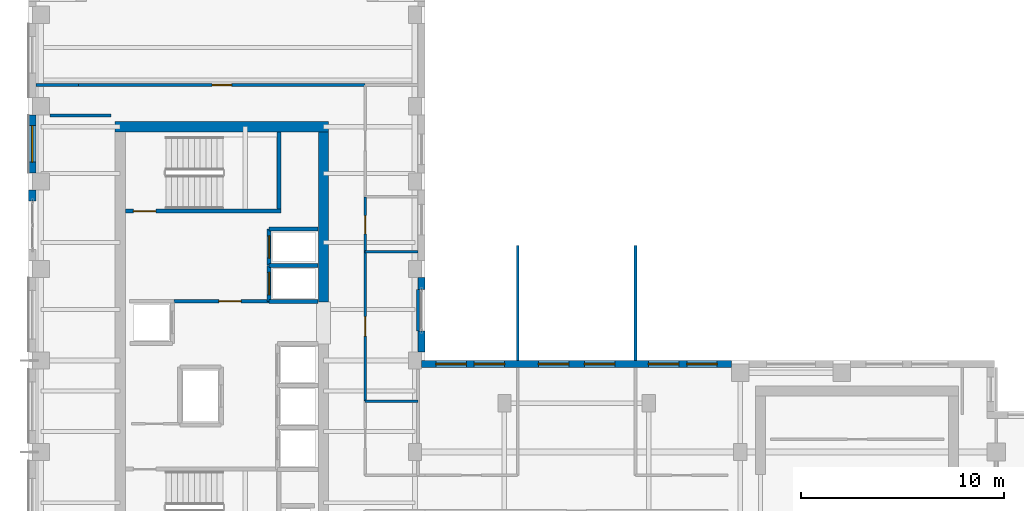
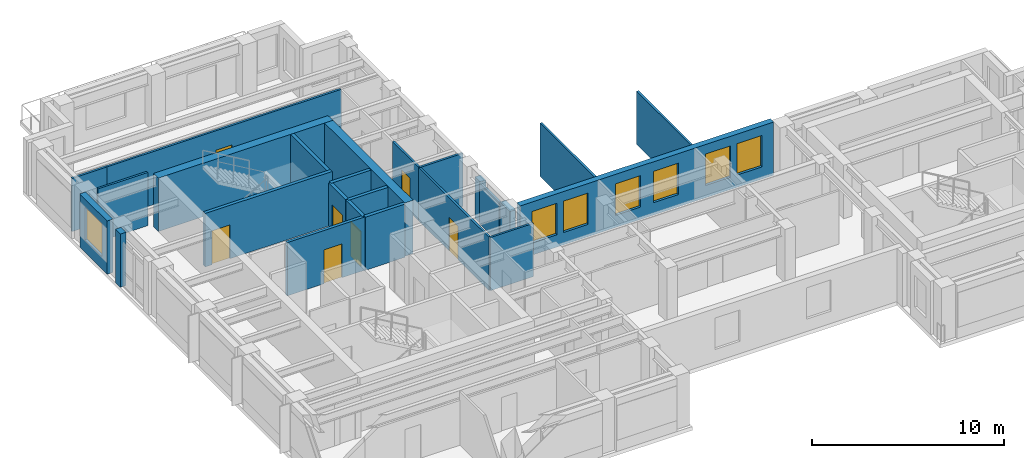
# One storey, part 8 of 14: 25 walls, 7 doors, 7 windows, 14 openings.
"""IFC4 building model written with IfcOpenShell, lengths in metres."""

from ifc_helpers import new_model, si_unit, direction, frame, frame_2d, origin, place, context, subcontext, project, spatial, rectangle, extrude, source, transform, mapped, material, layer, layer_set, type_object, element, fill, save


model = new_model("IFC4")

# Units and contexts
model_context = context("Model", 3, precision=1e-05, world=origin(), true_north=direction((0.0, 1.0)))
body_context = subcontext(model_context, "Body", "Model", "MODEL_VIEW")
ifc_project = project(units=[si_unit("LENGTHUNIT", "METRE"), si_unit("AREAUNIT", "SQUARE_METRE"), si_unit("VOLUMEUNIT", "CUBIC_METRE"), si_unit("PLANEANGLEUNIT", "RADIAN"), si_unit("MASSUNIT", "GRAM", prefix="KILO")], contexts=[model_context])

# Site, building, storey
site_placement = place(None, origin())
site = spatial("IfcSite", under=ifc_project, at=site_placement, CompositionType="ELEMENT")
building_placement = place(site_placement, origin())
building = spatial("IfcBuilding", under=site, at=building_placement, Name="Kharzan Plaza Tower", CompositionType="ELEMENT")
storey_placement = place(building_placement, frame((0.0, 0.0, 212.39990234375)))
storey = spatial("IfcBuildingStorey", under=building, at=storey_placement, Name="L57", CompositionType="ELEMENT", Elevation=212.39990234375)

# Wall, opening, window
ifc_material_1 = material(Name="Concrete C40/50", Category="concrete")
ifc_layer_1 = layer(ifc_material_1, 0.35009765625)
ifc_layer_set_1 = layer_set([ifc_layer_1], Name="Concrete C40/50")
wall_type_1 = type_object("IfcWallType", Name="WL-EXT-MAS-Z4", PredefinedType="SOLIDWALL", material=ifc_layer_set_1)
wall_1_placement = place(storey_placement, frame((0.175048828125, 30.076904296875, 0.0), z_axis=(0.0, 0.0, 1.0), x_axis=(0.0, -1.0, 0.0)))
wall_1 = element("IfcWall", 1, at=wall_1_placement, inside=storey, type_object=wall_type_1, Name="L57 Masonry-Frame Exterior Wall 11", PredefinedType="SOLIDWALL", context=body_context, shape_type="SweptSolid", body=[
    extrude(rectangle(XDim=2.85400390625, YDim=0.35009765625, at=frame_2d((1.427001953125, 0.0))), origin(), (0.0, 0.0, 1.0), 3.385009765625),
])
opening_1_placement = place(wall_1_placement, frame((0.527099609375, 0.0, 0.780029296875)))
opening_1 = element("IfcOpeningElement", 2, at=opening_1_placement, cuts=wall_1, Name="Opening W1", PredefinedType="OPENING", context=body_context, shape_type="SweptSolid", body=[
    extrude(rectangle(XDim=1.800048828125, YDim=2.10009765625, at=frame_2d((0.89990234375, 1.050048828125))), frame((0.0, 0.18505859375, 0.0), z_axis=(0.0, -1.0, 0.0), x_axis=(1.0, 0.0, 0.0)), (0.0, 0.0, 1.0), 0.3701171875),
])
ifc_material_2 = material(Name="Low-E Double Glazing", Category="glass")
window_type_1 = type_object("IfcWindowType", Name="WN-REC-1800x2100", PartitioningType="SINGLE_PANEL", PredefinedType="WINDOW", material=ifc_material_2)
shared_shape_1 = source(origin(), body_context, "Body", "SweptSolid", [
    extrude(rectangle(XDim=1.800048828125, YDim=2.10009765625, at=frame_2d((0.89990234375, 1.050048828125))), frame((0.0, 0.030029296875, 0.0), z_axis=(0.0, -1.0, 0.0), x_axis=(1.0, 0.0, 0.0)), (0.0, 0.0, 1.0), 0.06005859375),
])
window_1_placement = place(opening_1_placement, origin())
window_1 = element("IfcWindow", 3, at=window_1_placement, inside=storey, type_object=window_type_1, Name="L57 Recessed Solar-Control Window 11-1", OverallHeight=2.10009765625, OverallWidth=1.800048828125, PartitioningType="SINGLE_PANEL", PredefinedType="WINDOW", context=body_context, shape_type="MappedRepresentation", body=[
    mapped(shared_shape_1, transform((0.0, 0.0, 0.0), x_axis=(1.0, 0.0, 0.0), y_axis=(0.0, 1.0, 0.0), z_axis=(0.0, 0.0, 1.0))),
])
fill(opening_1, window_1)

# Wall, openings, windows
wall_2_placement = place(storey_placement, frame((34.576904296875, 17.824951171875, 0.0), z_axis=(0.0, 0.0, 1.0), x_axis=(-1.0, 0.0, 0.0)))
wall_2 = element("IfcWall", 4, at=wall_2_placement, inside=storey, type_object=wall_type_1, Name="L57 Masonry-Frame Exterior Wall 42", PredefinedType="SOLIDWALL", context=body_context, shape_type="SweptSolid", body=[
    extrude(rectangle(XDim=15.25390625, YDim=0.35009765625, at=frame_2d((7.626953125, 0.0))), origin(), (0.0, 0.0, 1.0), 3.385009765625),
])
opening_2_placement = place(wall_2_placement, frame((0.705810546875, 0.0, 0.780029296875)))
opening_2 = element("IfcOpeningElement", 5, at=opening_2_placement, cuts=wall_2, Name="Opening W5", PredefinedType="OPENING", context=body_context, shape_type="SweptSolid", body=[
    extrude(rectangle(XDim=1.5, YDim=2.0, at=frame_2d((0.75, 1.0))), frame((0.0, 0.18505859375, 0.0), z_axis=(0.0, -1.0, 0.0), x_axis=(1.0, 0.0, 0.0)), (0.0, 0.0, 1.0), 0.3701171875),
])
opening_3_placement = place(wall_2_placement, frame((2.59130859375, 0.0, 0.780029296875)))
opening_3 = element("IfcOpeningElement", 6, at=opening_3_placement, cuts=wall_2, Name="Opening W5", PredefinedType="OPENING", context=body_context, shape_type="SweptSolid", body=[
    extrude(rectangle(XDim=1.5, YDim=2.0, at=frame_2d((0.75, 1.0))), frame((0.0, 0.18505859375, 0.0), z_axis=(0.0, -1.0, 0.0), x_axis=(1.0, 0.0, 0.0)), (0.0, 0.0, 1.0), 0.3701171875),
])
opening_4_placement = place(wall_2_placement, frame((5.74365234375, 0.0, 0.780029296875)))
opening_4 = element("IfcOpeningElement", 7, at=opening_4_placement, cuts=wall_2, Name="Opening W5", PredefinedType="OPENING", context=body_context, shape_type="SweptSolid", body=[
    extrude(rectangle(XDim=1.5, YDim=2.0, at=frame_2d((0.75, 1.0))), frame((0.0, 0.18505859375, 0.0), z_axis=(0.0, -1.0, 0.0), x_axis=(1.0, 0.0, 0.0)), (0.0, 0.0, 1.0), 0.3701171875),
])
opening_5_placement = place(wall_2_placement, frame((8.01025390625, 0.0, 0.780029296875)))
opening_5 = element("IfcOpeningElement", 8, at=opening_5_placement, cuts=wall_2, Name="Opening W5", PredefinedType="OPENING", context=body_context, shape_type="SweptSolid", body=[
    extrude(rectangle(XDim=1.5, YDim=2.0, at=frame_2d((0.75, 1.0))), frame((0.0, 0.18505859375, 0.0), z_axis=(0.0, -1.0, 0.0), x_axis=(1.0, 0.0, 0.0)), (0.0, 0.0, 1.0), 0.3701171875),
])
opening_6_placement = place(wall_2_placement, frame((11.16259765625, 0.0, 0.780029296875)))
opening_6 = element("IfcOpeningElement", 9, at=opening_6_placement, cuts=wall_2, Name="Opening W5", PredefinedType="OPENING", context=body_context, shape_type="SweptSolid", body=[
    extrude(rectangle(XDim=1.5, YDim=2.0, at=frame_2d((0.75, 1.0))), frame((0.0, 0.18505859375, 0.0), z_axis=(0.0, -1.0, 0.0), x_axis=(1.0, 0.0, 0.0)), (0.0, 0.0, 1.0), 0.3701171875),
])
opening_7_placement = place(wall_2_placement, frame((13.04833984375, 0.0, 0.780029296875)))
opening_7 = element("IfcOpeningElement", 10, at=opening_7_placement, cuts=wall_2, Name="Opening W5", PredefinedType="OPENING", context=body_context, shape_type="SweptSolid", body=[
    extrude(rectangle(XDim=1.5, YDim=2.0, at=frame_2d((0.75, 1.0))), frame((0.0, 0.18505859375, 0.0), z_axis=(0.0, -1.0, 0.0), x_axis=(1.0, 0.0, 0.0)), (0.0, 0.0, 1.0), 0.3701171875),
])
window_type_2 = type_object("IfcWindowType", Name="WN-SLT-1500x2000", PartitioningType="SINGLE_PANEL", PredefinedType="WINDOW", material=ifc_material_2)
shared_shape_2 = source(origin(), body_context, "Body", "SweptSolid", [
    extrude(rectangle(XDim=1.5, YDim=2.0, at=frame_2d((0.75, 1.0))), frame((0.0, 0.030029296875, 0.0), z_axis=(0.0, -1.0, 0.0), x_axis=(1.0, 0.0, 0.0)), (0.0, 0.0, 1.0), 0.06005859375),
])
window_2_placement = place(opening_2_placement, origin())
window_2 = element("IfcWindow", 11, at=window_2_placement, inside=storey, type_object=window_type_2, Name="L57 Recessed Solar-Control Window 42-1", OverallHeight=2.0, OverallWidth=1.5, PartitioningType="SINGLE_PANEL", PredefinedType="WINDOW", context=body_context, shape_type="MappedRepresentation", body=[
    mapped(shared_shape_2, transform((0.0, 0.0, 0.0), x_axis=(1.0, 0.0, 0.0), y_axis=(0.0, 1.0, 0.0), z_axis=(0.0, 0.0, 1.0))),
])
fill(opening_2, window_2)
window_3_placement = place(opening_3_placement, origin())
window_3 = element("IfcWindow", 12, at=window_3_placement, inside=storey, type_object=window_type_2, Name="L57 Recessed Solar-Control Window 42-2", OverallHeight=2.0, OverallWidth=1.5, PartitioningType="SINGLE_PANEL", PredefinedType="WINDOW", context=body_context, shape_type="MappedRepresentation", body=[
    mapped(shared_shape_2, transform((0.0, 0.0, 0.0), x_axis=(1.0, 0.0, 0.0), y_axis=(0.0, 1.0, 0.0), z_axis=(0.0, 0.0, 1.0))),
])
fill(opening_3, window_3)
window_4_placement = place(opening_4_placement, origin())
window_4 = element("IfcWindow", 13, at=window_4_placement, inside=storey, type_object=window_type_2, Name="L57 Recessed Solar-Control Window 42-3", OverallHeight=2.0, OverallWidth=1.5, PartitioningType="SINGLE_PANEL", PredefinedType="WINDOW", context=body_context, shape_type="MappedRepresentation", body=[
    mapped(shared_shape_2, transform((0.0, 0.0, 0.0), x_axis=(1.0, 0.0, 0.0), y_axis=(0.0, 1.0, 0.0), z_axis=(0.0, 0.0, 1.0))),
])
fill(opening_4, window_4)
window_5_placement = place(opening_5_placement, origin())
window_5 = element("IfcWindow", 14, at=window_5_placement, inside=storey, type_object=window_type_2, Name="L57 Recessed Solar-Control Window 42-4", OverallHeight=2.0, OverallWidth=1.5, PartitioningType="SINGLE_PANEL", PredefinedType="WINDOW", context=body_context, shape_type="MappedRepresentation", body=[
    mapped(shared_shape_2, transform((0.0, 0.0, 0.0), x_axis=(1.0, 0.0, 0.0), y_axis=(0.0, 1.0, 0.0), z_axis=(0.0, 0.0, 1.0))),
])
fill(opening_5, window_5)
window_6_placement = place(opening_6_placement, origin())
window_6 = element("IfcWindow", 15, at=window_6_placement, inside=storey, type_object=window_type_2, Name="L57 Recessed Solar-Control Window 42-5", OverallHeight=2.0, OverallWidth=1.5, PartitioningType="SINGLE_PANEL", PredefinedType="WINDOW", context=body_context, shape_type="MappedRepresentation", body=[
    mapped(shared_shape_2, transform((0.0, 0.0, 0.0), x_axis=(1.0, 0.0, 0.0), y_axis=(0.0, 1.0, 0.0), z_axis=(0.0, 0.0, 1.0))),
])
fill(opening_6, window_6)
window_7_placement = place(opening_7_placement, origin())
window_7 = element("IfcWindow", 16, at=window_7_placement, inside=storey, type_object=window_type_2, Name="L57 Recessed Solar-Control Window 42-6", OverallHeight=2.0, OverallWidth=1.5, PartitioningType="SINGLE_PANEL", PredefinedType="WINDOW", context=body_context, shape_type="MappedRepresentation", body=[
    mapped(shared_shape_2, transform((0.0, 0.0, 0.0), x_axis=(1.0, 0.0, 0.0), y_axis=(0.0, 1.0, 0.0), z_axis=(0.0, 0.0, 1.0))),
])
fill(opening_7, window_7)

# Wall, opening, door
ifc_layer_2 = layer(ifc_material_1, 0.179931640625)
ifc_layer_set_2 = layer_set([ifc_layer_2], Name="Concrete C40/50")
wall_type_2 = type_object("IfcWallType", Name="WL-INT-FIRE-180", PredefinedType="PARTITIONING", material=ifc_layer_set_2)
wall_3_placement = place(storey_placement, frame((7.14990234375, 20.919921875, 0.0), z_axis=(0.0, 0.0, 1.0), x_axis=(1.0, 0.0, 0.0)))
wall_3 = element("IfcWall", 17, at=wall_3_placement, inside=storey, type_object=wall_type_2, Name="L57 Interior Partition CA-FF-S", PredefinedType="PARTITIONING", context=body_context, shape_type="SweptSolid", body=[
    extrude(rectangle(XDim=4.68017578125, YDim=0.179931640625, at=frame_2d((2.340087890625, 0.0))), origin(), (0.0, 0.0, 1.0), 3.385009765625),
])
opening_8_placement = place(wall_3_placement, frame((2.199951171875, 0.0, 0.0)))
opening_8 = element("IfcOpeningElement", 18, at=opening_8_placement, cuts=wall_3, Name="Opening FD1", PredefinedType="OPENING", context=body_context, shape_type="SweptSolid", body=[
    extrude(rectangle(XDim=1.10009765625, YDim=2.14990234375, at=frame_2d((0.550048828125, 1.074951171875))), frame((0.0, 0.099853515625, 0.0), z_axis=(0.0, -1.0, 0.0), x_axis=(1.0, 0.0, 0.0)), (0.0, 0.0, 1.0), 0.199951171875),
])
ifc_material_3 = material(Name="Fire-Rated Acoustic Vision-Panel Steel", Category="steel")
door_type_1 = type_object("IfcDoorType", Name="DR-FIRE-LOBBY", OperationType="NOTDEFINED", PredefinedType="DOOR", material=ifc_material_3)
shared_shape_3 = source(origin(), body_context, "Body", "SweptSolid", [
    extrude(rectangle(XDim=1.10009765625, YDim=2.14990234375, at=frame_2d((0.550048828125, 1.074951171875))), frame((0.0, 0.02490234375, 0.0), z_axis=(0.0, -1.0, 0.0), x_axis=(1.0, 0.0, 0.0)), (0.0, 0.0, 1.0), 0.050048828125),
])
door_1_placement = place(opening_8_placement, origin())
door_1 = element("IfcDoor", 19, at=door_1_placement, inside=storey, type_object=door_type_1, Name="L57 Firefighting Lobby Door", OperationType="SINGLE_SWING_LEFT", OverallHeight=2.14990234375, OverallWidth=1.10009765625, PredefinedType="DOOR", context=body_context, shape_type="MappedRepresentation", body=[
    mapped(shared_shape_3, transform((0.0, 0.0, 0.0), x_axis=(1.0, 0.0, 0.0), y_axis=(0.0, 1.0, 0.0), z_axis=(0.0, 0.0, 1.0))),
])
fill(opening_8, door_1)

ifc_material_4 = material(Name="Fire-Rated Gypsum Board Partition", Category="gypsum")
ifc_layer_3 = layer(ifc_material_4, 0.125)
ifc_layer_set_3 = layer_set([ifc_layer_3], Name="Fire-Rated Gypsum Board Partition")
wall_type_3 = type_object("IfcWallType", Name="WL-INT-PART-125", PredefinedType="PARTITIONING", material=ifc_layer_set_3)
wall_4_placement = place(storey_placement, frame((16.550048828125, 16.0, 0.0), z_axis=(0.0, 0.0, 1.0), x_axis=(0.0, 1.0, 0.0)))
wall_4 = element("IfcWall", 20, at=wall_4_placement, inside=storey, type_object=wall_type_3, Name="L57 Interior Partition SH-AEWN2", PredefinedType="PARTITIONING", context=body_context, shape_type="SweptSolid", body=[
    extrude(rectangle(XDim=7.35009765625, YDim=0.125, at=frame_2d((3.675048828125, 0.0))), origin(), (0.0, 0.0, 1.0), 3.385009765625),
])
opening_9_placement = place(wall_4_placement, frame((3.199951171875, 0.0, 0.0)))
opening_9 = element("IfcOpeningElement", 21, at=opening_9_placement, cuts=wall_4, Name="Opening OD1", PredefinedType="OPENING", context=body_context, shape_type="SweptSolid", body=[
    extrude(rectangle(XDim=0.949951171875, YDim=2.14990234375, at=frame_2d((0.47509765625, 1.074951171875))), frame((0.0, 0.072509765625, 0.0), z_axis=(0.0, -1.0, 0.0), x_axis=(1.0, 0.0, 0.0)), (0.0, 0.0, 1.0), 0.14501953125),
])
ifc_material_5 = material(Name="Acoustic Solid-Core Stained Oak", Category="timber")
door_type_2 = type_object("IfcDoorType", Name="DR-OFF-SINGLE", OperationType="NOTDEFINED", PredefinedType="DOOR", material=ifc_material_5)
shared_shape_4 = source(origin(), body_context, "Body", "SweptSolid", [
    extrude(rectangle(XDim=0.949951171875, YDim=2.14990234375, at=frame_2d((0.47509765625, 1.074951171875))), frame((0.0, 0.02490234375, 0.0), z_axis=(0.0, -1.0, 0.0), x_axis=(1.0, 0.0, 0.0)), (0.0, 0.0, 1.0), 0.050048828125),
])
door_2_placement = place(opening_9_placement, origin())
door_2 = element("IfcDoor", 22, at=door_2_placement, inside=storey, type_object=door_type_2, Name="L57 Slot Studio Door", OperationType="SINGLE_SWING_RIGHT", OverallHeight=2.14990234375, OverallWidth=0.949951171875, PredefinedType="DOOR", context=body_context, shape_type="MappedRepresentation", body=[
    mapped(shared_shape_4, transform((0.0, 0.0, 0.0), x_axis=(1.0, 0.0, 0.0), y_axis=(0.0, 1.0, 0.0), z_axis=(0.0, 0.0, 1.0))),
])
fill(opening_9, door_2)

wall_5_placement = place(storey_placement, frame((16.550048828125, 23.35009765625, 0.0), z_axis=(0.0, 0.0, 1.0), x_axis=(0.0, 1.0, 0.0)))
wall_5 = element("IfcWall", 23, at=wall_5_placement, inside=storey, type_object=wall_type_3, Name="L57 Interior Partition SH-AEWW", PredefinedType="PARTITIONING", context=body_context, shape_type="SweptSolid", body=[
    extrude(rectangle(XDim=2.699951171875, YDim=0.125, at=frame_2d((1.35009765625, 0.0))), origin(), (0.0, 0.0, 1.0), 3.385009765625),
])
opening_10_placement = place(wall_5_placement, frame((0.875, 0.0, 0.0)))
opening_10 = element("IfcOpeningElement", 24, at=opening_10_placement, cuts=wall_5, Name="Opening WD1", PredefinedType="OPENING", context=body_context, shape_type="SweptSolid", body=[
    extrude(rectangle(XDim=0.89990234375, YDim=2.14990234375, at=frame_2d((0.449951171875, 1.074951171875))), frame((0.0, 0.072509765625, 0.0), z_axis=(0.0, -1.0, 0.0), x_axis=(1.0, 0.0, 0.0)), (0.0, 0.0, 1.0), 0.14501953125),
])
ifc_material_6 = material(Name="Moisture-Resistant Fire-Rated Laminate", Category="timber")
door_type_3 = type_object("IfcDoorType", Name="DR-WC-900", OperationType="NOTDEFINED", PredefinedType="DOOR", material=ifc_material_6)
shared_shape_5 = source(origin(), body_context, "Body", "SweptSolid", [
    extrude(rectangle(XDim=0.89990234375, YDim=2.14990234375, at=frame_2d((0.449951171875, 1.074951171875))), frame((0.0, 0.02490234375, 0.0), z_axis=(0.0, -1.0, 0.0), x_axis=(1.0, 0.0, 0.0)), (0.0, 0.0, 1.0), 0.050048828125),
])
door_3_placement = place(opening_10_placement, origin())
door_3 = element("IfcDoor", 25, at=door_3_placement, inside=storey, type_object=door_type_3, Name="L57 Wing A Washroom Door", OperationType="SINGLE_SWING_LEFT", OverallHeight=2.14990234375, OverallWidth=0.89990234375, PredefinedType="DOOR", context=body_context, shape_type="MappedRepresentation", body=[
    mapped(shared_shape_5, transform((0.0, 0.0, 0.0), x_axis=(1.0, 0.0, 0.0), y_axis=(0.0, 1.0, 0.0), z_axis=(0.0, 0.0, 1.0))),
])
fill(opening_10, door_3)

wall_6_placement = place(storey_placement, frame((2.449951171875, 31.550048828125, 0.0), z_axis=(0.0, 0.0, 1.0), x_axis=(1.0, 0.0, 0.0)))
wall_6 = element("IfcWall", 26, at=wall_6_placement, inside=storey, type_object=wall_type_3, Name="L57 Interior Partition SH-NN-1", PredefinedType="PARTITIONING", context=body_context, shape_type="SweptSolid", body=[
    extrude(rectangle(XDim=14.10009765625, YDim=0.125, at=frame_2d((7.050048828125, 0.0))), origin(), (0.0, 0.0, 1.0), 3.385009765625),
])
opening_11_placement = place(wall_6_placement, frame((6.574951171875, 0.0, 0.0)))
opening_11 = element("IfcOpeningElement", 27, at=opening_11_placement, cuts=wall_6, Name="Opening OD1", PredefinedType="OPENING", context=body_context, shape_type="SweptSolid", body=[
    extrude(rectangle(XDim=0.949951171875, YDim=2.14990234375, at=frame_2d((0.47509765625, 1.074951171875))), frame((0.0, 0.072509765625, 0.0), z_axis=(0.0, -1.0, 0.0), x_axis=(1.0, 0.0, 0.0)), (0.0, 0.0, 1.0), 0.14501953125),
])
door_4_placement = place(opening_11_placement, origin())
door_4 = element("IfcDoor", 28, at=door_4_placement, inside=storey, type_object=door_type_2, Name="L57 Staff Tea Pantry Door", OperationType="SINGLE_SWING_LEFT", OverallHeight=2.14990234375, OverallWidth=0.949951171875, PredefinedType="DOOR", context=body_context, shape_type="MappedRepresentation", body=[
    mapped(shared_shape_4, transform((0.0, 0.0, 0.0), x_axis=(1.0, 0.0, 0.0), y_axis=(0.0, 1.0, 0.0), z_axis=(0.0, 0.0, 1.0))),
])
fill(opening_11, door_4)

ifc_layer_4 = layer(ifc_material_1, 0.199951171875)
ifc_layer_set_4 = layer_set([ifc_layer_4], Name="Concrete C40/50")
wall_type_4 = type_object("IfcWallType", Name="WL-INT-SHAFT-200", PredefinedType="PARTITIONING", material=ifc_layer_set_4)
wall_7_placement = place(storey_placement, frame((11.830078125, 20.89990234375, 0.0), z_axis=(0.0, 0.0, 1.0), x_axis=(0.0, 1.0, 0.0)))
wall_7 = element("IfcWall", 29, at=wall_7_placement, inside=storey, type_object=wall_type_4, Name="L57 Interior Partition SHF-FFL-1-W", PredefinedType="PARTITIONING", context=body_context, shape_type="SweptSolid", body=[
    extrude(rectangle(XDim=1.760009765625, YDim=0.199951171875, at=frame_2d((0.8798828125, 0.0))), origin(), (0.0, 0.0, 1.0), 3.385009765625),
])
opening_12_placement = place(wall_7_placement, frame((0.330078125, 0.0, 0.0)))
opening_12 = element("IfcOpeningElement", 30, at=opening_12_placement, cuts=wall_7, Name="Opening LD", PredefinedType="OPENING", context=body_context, shape_type="SweptSolid", body=[
    extrude(rectangle(XDim=1.10009765625, YDim=2.199951171875, at=frame_2d((0.550048828125, 1.10009765625))), frame((0.0, 0.10986328125, 0.0), z_axis=(0.0, -1.0, 0.0), x_axis=(1.0, 0.0, 0.0)), (0.0, 0.0, 1.0), 0.219970703125),
])
ifc_material_7 = material(Name="Brushed Stainless Steel", Category="steel")
door_type_4 = type_object("IfcDoorType", Name="DR-LIFT-SLIDE", OperationType="SLIDING_TO_LEFT", PredefinedType="DOOR", material=ifc_material_7)
shared_shape_6 = source(origin(), body_context, "Body", "SweptSolid", [
    extrude(rectangle(XDim=1.10009765625, YDim=2.199951171875, at=frame_2d((0.550048828125, 1.10009765625))), frame((0.0, 0.02490234375, 0.0), z_axis=(0.0, -1.0, 0.0), x_axis=(1.0, 0.0, 0.0)), (0.0, 0.0, 1.0), 0.050048828125),
])
door_5_placement = place(opening_12_placement, origin())
door_5 = element("IfcDoor", 31, at=door_5_placement, inside=storey, type_object=door_type_4, Name="L57 Firefighting Lift FFL-1 Sliding Landing Door", OperationType="SLIDING_TO_LEFT", OverallHeight=2.199951171875, OverallWidth=1.10009765625, PredefinedType="DOOR", context=body_context, shape_type="MappedRepresentation", body=[
    mapped(shared_shape_6, transform((0.0, 0.0, 0.0), x_axis=(1.0, 0.0, 0.0), y_axis=(0.0, 1.0, 0.0), z_axis=(0.0, 0.0, 1.0))),
])
fill(opening_12, door_5)

wall_8_placement = place(storey_placement, frame((11.830078125, 22.699951171875, 0.0), z_axis=(0.0, 0.0, 1.0), x_axis=(0.0, 1.0, 0.0)))
wall_8 = element("IfcWall", 32, at=wall_8_placement, inside=storey, type_object=wall_type_4, Name="L57 Interior Partition SHF-FFL-2-W", PredefinedType="PARTITIONING", context=body_context, shape_type="SweptSolid", body=[
    extrude(rectangle(XDim=1.760009765625, YDim=0.199951171875, at=frame_2d((0.8798828125, 0.0))), origin(), (0.0, 0.0, 1.0), 3.385009765625),
])
opening_13_placement = place(wall_8_placement, frame((0.330078125, 0.0, 0.0)))
opening_13 = element("IfcOpeningElement", 33, at=opening_13_placement, cuts=wall_8, Name="Opening LD", PredefinedType="OPENING", context=body_context, shape_type="SweptSolid", body=[
    extrude(rectangle(XDim=1.10009765625, YDim=2.199951171875, at=frame_2d((0.550048828125, 1.10009765625))), frame((0.0, 0.10986328125, 0.0), z_axis=(0.0, -1.0, 0.0), x_axis=(1.0, 0.0, 0.0)), (0.0, 0.0, 1.0), 0.219970703125),
])
door_6_placement = place(opening_13_placement, origin())
door_6 = element("IfcDoor", 34, at=door_6_placement, inside=storey, type_object=door_type_4, Name="L57 Firefighting Lift FFL-2 Sliding Landing Door", OperationType="SLIDING_TO_LEFT", OverallHeight=2.199951171875, OverallWidth=1.10009765625, PredefinedType="DOOR", context=body_context, shape_type="MappedRepresentation", body=[
    mapped(shared_shape_6, transform((0.0, 0.0, 0.0), x_axis=(1.0, 0.0, 0.0), y_axis=(0.0, 1.0, 0.0), z_axis=(0.0, 0.0, 1.0))),
])
fill(opening_13, door_6)

ifc_material_8 = material(Name="Concrete C50/60", Category="concrete")
ifc_layer_5 = layer(ifc_material_8, 0.199951171875)
ifc_layer_set_5 = layer_set([ifc_layer_5], Name="Concrete C50/60")
wall_type_5 = type_object("IfcWallType", Name="WL-SHAFT-RC200", PredefinedType="SHEAR", material=ifc_layer_set_5)
wall_9_placement = place(storey_placement, frame((4.751953125, 25.344970703125, 0.0), z_axis=(0.0, 0.0, 1.0), x_axis=(1.0, 0.0, 0.0)))
wall_9 = element("IfcWall", 35, at=wall_9_placement, inside=storey, type_object=wall_type_5, Name="L57 Stair ST-2 South RC Shaft Wall", PredefinedType="SHEAR", context=body_context, shape_type="SweptSolid", body=[
    extrude(rectangle(XDim=7.653076171875, YDim=0.199951171875, at=frame_2d((3.82666015625, 0.0))), origin(), (0.0, 0.0, 1.0), 3.400146484375),
])
opening_14_placement = place(wall_9_placement, frame((0.39990234375, 0.0, 0.0)))
opening_14 = element("IfcOpeningElement", 36, at=opening_14_placement, cuts=wall_9, Name="Opening SD1", PredefinedType="OPENING", context=body_context, shape_type="SweptSolid", body=[
    extrude(rectangle(XDim=1.10009765625, YDim=2.14990234375, at=frame_2d((0.550048828125, 1.074951171875))), frame((0.0, 0.10986328125, 0.0), z_axis=(0.0, -1.0, 0.0), x_axis=(1.0, 0.0, 0.0)), (0.0, 0.0, 1.0), 0.219970703125),
])
ifc_material_9 = material(Name="Fire-Rated Hollow Galvanized Steel", Category="steel")
door_type_5 = type_object("IfcDoorType", Name="DR-STAIR-FD120", OperationType="NOTDEFINED", PredefinedType="DOOR", material=ifc_material_9)
shared_shape_7 = source(origin(), body_context, "Body", "SweptSolid", [
    extrude(rectangle(XDim=1.10009765625, YDim=2.14990234375, at=frame_2d((0.550048828125, 1.074951171875))), frame((0.0, 0.02490234375, 0.0), z_axis=(0.0, -1.0, 0.0), x_axis=(1.0, 0.0, 0.0)), (0.0, 0.0, 1.0), 0.050048828125),
])
door_7_placement = place(opening_14_placement, origin())
door_7 = element("IfcDoor", 37, at=door_7_placement, inside=storey, type_object=door_type_5, Name="L57 Stair ST-2 Fire Exit Door", OperationType="SINGLE_SWING_RIGHT", OverallHeight=2.14990234375, OverallWidth=1.10009765625, PredefinedType="DOOR", context=body_context, shape_type="MappedRepresentation", body=[
    mapped(shared_shape_7, transform((0.0, 0.0, 0.0), x_axis=(1.0, 0.0, 0.0), y_axis=(0.0, 1.0, 0.0), z_axis=(0.0, 0.0, 1.0))),
])
fill(opening_14, door_7)

# Walls
shared_shape_8 = source(origin(), body_context, "Body", "SweptSolid", [
    extrude(rectangle(XDim=2.097900390625, YDim=0.125, at=frame_2d((1.048828125, 0.0))), origin(), (0.0, 0.0, 1.0), 3.385009765625),
])
wall_10_placement = place(storey_placement, frame((0.35205078125, 31.550048828125, 0.0), z_axis=(0.0, 0.0, 1.0), x_axis=(1.0, 0.0, 0.0)))
element("IfcWall", 38, at=wall_10_placement, inside=storey, type_object=wall_type_3, Name="L57 Interior Partition SH-NNW0", PredefinedType="PARTITIONING", context=body_context, shape_type="MappedRepresentation", body=[
    mapped(shared_shape_8, transform((0.0, 0.0, 0.0), x_axis=(1.0, 0.0, 0.0), y_axis=(0.0, 1.0, 0.0), z_axis=(0.0, 0.0, 1.0))),
])
shared_shape_9 = source(origin(), body_context, "Body", "SweptSolid", [
    extrude(rectangle(XDim=2.597900390625, YDim=0.125, at=frame_2d((1.298828125, 0.0))), origin(), (0.0, 0.0, 1.0), 3.385009765625),
])
wall_11_placement = place(storey_placement, frame((16.550048828125, 23.35009765625, 0.0), z_axis=(0.0, 0.0, 1.0), x_axis=(1.0, 0.0, 0.0)))
element("IfcWall", 39, at=wall_11_placement, inside=storey, type_object=wall_type_3, Name="L57 Interior Partition SH-AEH-233", PredefinedType="PARTITIONING", context=body_context, shape_type="MappedRepresentation", body=[
    mapped(shared_shape_9, transform((0.0, 0.0, 0.0), x_axis=(1.0, 0.0, 0.0), y_axis=(0.0, 1.0, 0.0), z_axis=(0.0, 0.0, 1.0))),
])
shared_shape_10 = source(origin(), body_context, "Body", "SweptSolid", [
    extrude(rectangle(XDim=2.599853515625, YDim=0.125, at=frame_2d((1.2998046875, 0.0))), origin(), (0.0, 0.0, 1.0), 3.385009765625),
])
wall_12_placement = place(storey_placement, frame((16.550048828125, 16.0, 0.0), z_axis=(0.0, 0.0, 1.0), x_axis=(1.0, 0.0, 0.0)))
element("IfcWall", 40, at=wall_12_placement, inside=storey, type_object=wall_type_3, Name="L57 Interior Partition SH-AEH-160", PredefinedType="PARTITIONING", context=body_context, shape_type="MappedRepresentation", body=[
    mapped(shared_shape_10, transform((0.0, 0.0, 0.0), x_axis=(1.0, 0.0, 0.0), y_axis=(0.0, 1.0, 0.0), z_axis=(0.0, 0.0, 1.0))),
])
ifc_layer_6 = layer(ifc_material_8, 0.5)
ifc_layer_set_6 = layer_set([ifc_layer_6], Name="Concrete C50/60")
wall_type_6 = type_object("IfcWallType", Name="WL-CORE-500", PredefinedType="SHEAR", material=ifc_layer_set_6)
shared_shape_11 = source(origin(), body_context, "Body", "SweptSolid", [
    extrude(rectangle(XDim=8.3701171875, YDim=0.5, at=frame_2d((4.18505859375, 0.0))), origin(), (0.0, 0.0, 1.0), 3.400146484375),
])
wall_13_placement = place(storey_placement, frame((14.5, 20.8798828125, 0.0), z_axis=(0.0, 0.0, 1.0), x_axis=(0.0, 1.0, 0.0)))
element("IfcWall", 41, at=wall_13_placement, inside=storey, type_object=wall_type_6, Name="L57 CORE-A east shear pier 2", PredefinedType="SHEAR", context=body_context, shape_type="MappedRepresentation", body=[
    mapped(shared_shape_11, transform((0.0, 0.0, 0.0), x_axis=(1.0, 0.0, 0.0), y_axis=(0.0, 1.0, 0.0), z_axis=(0.0, 0.0, 1.0))),
])
shared_shape_12 = source(origin(), body_context, "Body", "SweptSolid", [
    extrude(rectangle(XDim=10.5, YDim=0.5, at=frame_2d((5.25, 0.0))), origin(), (0.0, 0.0, 1.0), 3.400146484375),
])
wall_14_placement = place(storey_placement, frame((4.25, 29.5, 0.0), z_axis=(0.0, 0.0, 1.0), x_axis=(1.0, 0.0, 0.0)))
element("IfcWall", 42, at=wall_14_placement, inside=storey, type_object=wall_type_6, Name="L57 CORE-A north RC shear wall", PredefinedType="SHEAR", context=body_context, shape_type="MappedRepresentation", body=[
    mapped(shared_shape_12, transform((0.0, 0.0, 0.0), x_axis=(1.0, 0.0, 0.0), y_axis=(0.0, 1.0, 0.0), z_axis=(0.0, 0.0, 1.0))),
])
shared_shape_13 = source(origin(), body_context, "Body", "SweptSolid", [
    extrude(rectangle(XDim=0.52685546875, YDim=0.35009765625, at=frame_2d((0.263427734375, 0.0))), origin(), (0.0, 0.0, 1.0), 3.385009765625),
])
wall_15_placement = place(storey_placement, frame((0.175048828125, 26.376953125, 0.0), z_axis=(0.0, 0.0, 1.0), x_axis=(0.0, -1.0, 0.0)))
element("IfcWall", 43, at=wall_15_placement, inside=storey, type_object=wall_type_1, Name="L57 Masonry-Frame Exterior Wall 12", PredefinedType="SOLIDWALL", context=body_context, shape_type="MappedRepresentation", body=[
    mapped(shared_shape_13, transform((0.0, 0.0, 0.0), x_axis=(1.0, 0.0, 0.0), y_axis=(0.0, 1.0, 0.0), z_axis=(0.0, 0.0, 1.0))),
])
shared_shape_14 = source(origin(), body_context, "Body", "SweptSolid", [
    extrude(rectangle(XDim=1.02685546875, YDim=0.35009765625, at=frame_2d((0.513427734375, 0.0))), origin(), (0.0, 0.0, 1.0), 2.619140625),
])
wall_16_placement = place(storey_placement, frame((19.324951171875, 18.423095703125, 0.0), z_axis=(0.0, 0.0, 1.0), x_axis=(0.0, 1.0, 0.0)))
element("IfcWall", 44, at=wall_16_placement, inside=storey, type_object=wall_type_1, Name="L57 Masonry-Frame Exterior Wall 43", PredefinedType="SOLIDWALL", context=body_context, shape_type="MappedRepresentation", body=[
    mapped(shared_shape_14, transform((0.0, 0.0, 0.0), x_axis=(1.0, 0.0, 0.0), y_axis=(0.0, 1.0, 0.0), z_axis=(0.0, 0.0, 1.0))),
])
shared_shape_15 = source(origin(), body_context, "Body", "SweptSolid", [
    extrude(rectangle(XDim=0.576904296875, YDim=0.35009765625, at=frame_2d((0.28857421875, 0.0))), origin(), (0.0, 0.0, 1.0), 2.619140625),
])
wall_17_placement = place(storey_placement, frame((19.324951171875, 21.5, 0.0), z_axis=(0.0, 0.0, 1.0), x_axis=(0.0, 1.0, 0.0)))
element("IfcWall", 45, at=wall_17_placement, inside=storey, type_object=wall_type_1, Name="L57 Masonry-Frame Exterior Wall 44", PredefinedType="SOLIDWALL", context=body_context, shape_type="MappedRepresentation", body=[
    mapped(shared_shape_15, transform((0.0, 0.0, 0.0), x_axis=(1.0, 0.0, 0.0), y_axis=(0.0, 1.0, 0.0), z_axis=(0.0, 0.0, 1.0))),
])
shared_shape_16 = source(origin(), body_context, "Body", "SweptSolid", [
    extrude(rectangle(XDim=2.050048828125, YDim=0.125, at=frame_2d((1.02490234375, 0.0))), origin(), (0.0, 0.0, 1.0), 2.619140625),
])
wall_18_placement = place(storey_placement, frame((19.14990234375, 19.449951171875, 0.0), z_axis=(0.0, 0.0, 1.0), x_axis=(0.0, 1.0, 0.0)))
element("IfcWall", 46, at=wall_18_placement, inside=storey, type_object=wall_type_3, Name="L57 Interior Partition SH-AEN-DIV-S3", PredefinedType="PARTITIONING", context=body_context, shape_type="MappedRepresentation", body=[
    mapped(shared_shape_16, transform((0.0, 0.0, 0.0), x_axis=(1.0, 0.0, 0.0), y_axis=(0.0, 1.0, 0.0), z_axis=(0.0, 0.0, 1.0))),
])
shared_shape_17 = source(origin(), body_context, "Body", "SweptSolid", [
    extrude(rectangle(XDim=3.0, YDim=0.125, at=frame_2d((1.5, 0.0))), origin(), (0.0, 0.0, 1.0), 3.385009765625),
])
wall_19_placement = place(storey_placement, frame((1.050048828125, 30.050048828125, 0.0), z_axis=(0.0, 0.0, 1.0), x_axis=(1.0, 0.0, 0.0)))
element("IfcWall", 47, at=wall_19_placement, inside=storey, type_object=wall_type_3, Name="L57 Interior Partition SH-RWN0", PredefinedType="PARTITIONING", context=body_context, shape_type="MappedRepresentation", body=[
    mapped(shared_shape_17, transform((0.0, 0.0, 0.0), x_axis=(1.0, 0.0, 0.0), y_axis=(0.0, 1.0, 0.0), z_axis=(0.0, 0.0, 1.0))),
])
shared_shape_18 = source(origin(), body_context, "Body", "SweptSolid", [
    extrude(rectangle(XDim=5.64794921875, YDim=0.125, at=frame_2d((2.823974609375, 0.0))), origin(), (0.0, 0.0, 1.0), 3.385009765625),
])
for number, where, z_axis, x_axis, name in (
    (48, (24.050048828125, 18.001953125, 0.0), (0.0, 0.0, 1.0), (0.0, 1.0, 0.0), "L57 Interior Partition SH-SPML-S2"),
    (49, (29.85009765625, 18.001953125, 0.0), (0.0, 0.0, 1.0), (0.0, 1.0, 0.0), "L57 Interior Partition SH-SPMR-S2"),
):
    element("IfcWall", number, at=place(storey_placement, frame(where, z_axis=z_axis, x_axis=x_axis)), inside=storey, type_object=wall_type_3, Name=name, PredefinedType="PARTITIONING", context=body_context, shape_type="MappedRepresentation", body=[
        mapped(shared_shape_18, transform((0.0, 0.0, 0.0), x_axis=(1.0, 0.0, 0.0), y_axis=(0.0, 1.0, 0.0), z_axis=(0.0, 0.0, 1.0))),
    ])
shared_shape_19 = source(origin(), body_context, "Body", "SweptSolid", [
    extrude(rectangle(XDim=2.389892578125, YDim=0.199951171875, at=frame_2d((1.19482421875, 0.0))), origin(), (0.0, 0.0, 1.0), 3.385009765625),
])
for number, where, z_axis, x_axis, name in (
    (50, (11.830078125, 22.659912109375, 0.0), (0.0, 0.0, 1.0), (1.0, 0.0, 0.0), "L57 Interior Partition SHF-FFL-1-N"),
    (51, (11.830078125, 20.89990234375, 0.0), (0.0, 0.0, 1.0), (1.0, 0.0, 0.0), "L57 Interior Partition SHF-FFL-1-S"),
    (52, (11.830078125, 24.4599609375, 0.0), (0.0, 0.0, 1.0), (1.0, 0.0, 0.0), "L57 Interior Partition SHF-FFL-2-N"),
):
    element("IfcWall", number, at=place(storey_placement, frame(where, z_axis=z_axis, x_axis=x_axis)), inside=storey, type_object=wall_type_4, Name=name, PredefinedType="PARTITIONING", context=body_context, shape_type="MappedRepresentation", body=[
        mapped(shared_shape_19, transform((0.0, 0.0, 0.0), x_axis=(1.0, 0.0, 0.0), y_axis=(0.0, 1.0, 0.0), z_axis=(0.0, 0.0, 1.0))),
    ])
shared_shape_20 = source(origin(), body_context, "Body", "SweptSolid", [
    extrude(rectangle(XDim=3.802978515625, YDim=0.199951171875, at=frame_2d((1.9013671875, 0.0))), origin(), (0.0, 0.0, 1.0), 3.400146484375),
])
wall_20_placement = place(storey_placement, frame((12.304931640625, 25.445068359375, 0.0), z_axis=(0.0, 0.0, 1.0), x_axis=(0.0, 1.0, 0.0)))
element("IfcWall", 53, at=wall_20_placement, inside=storey, type_object=wall_type_5, Name="L57 Stair ST-2 East RC Shaft Wall", PredefinedType="SHEAR", context=body_context, shape_type="MappedRepresentation", body=[
    mapped(shared_shape_20, transform((0.0, 0.0, 0.0), x_axis=(1.0, 0.0, 0.0), y_axis=(0.0, 1.0, 0.0), z_axis=(0.0, 0.0, 1.0))),
])

save(model, "model.ifc")
